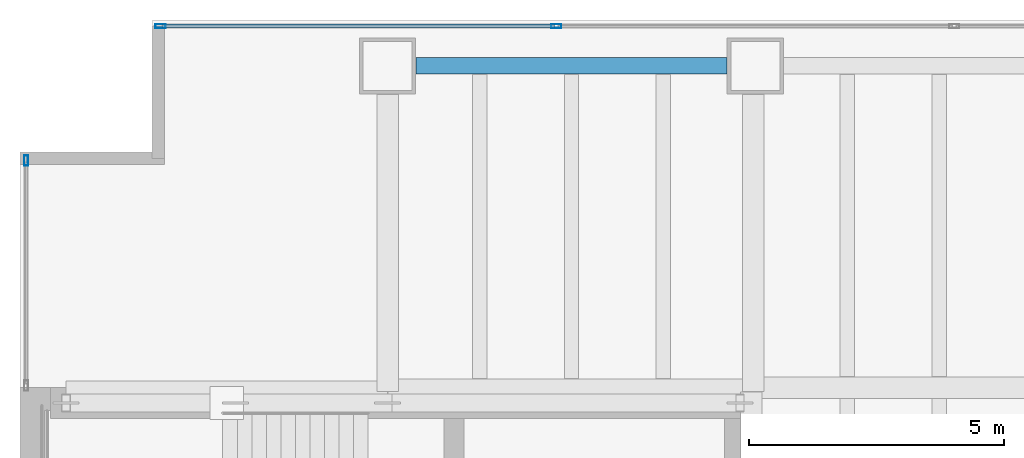
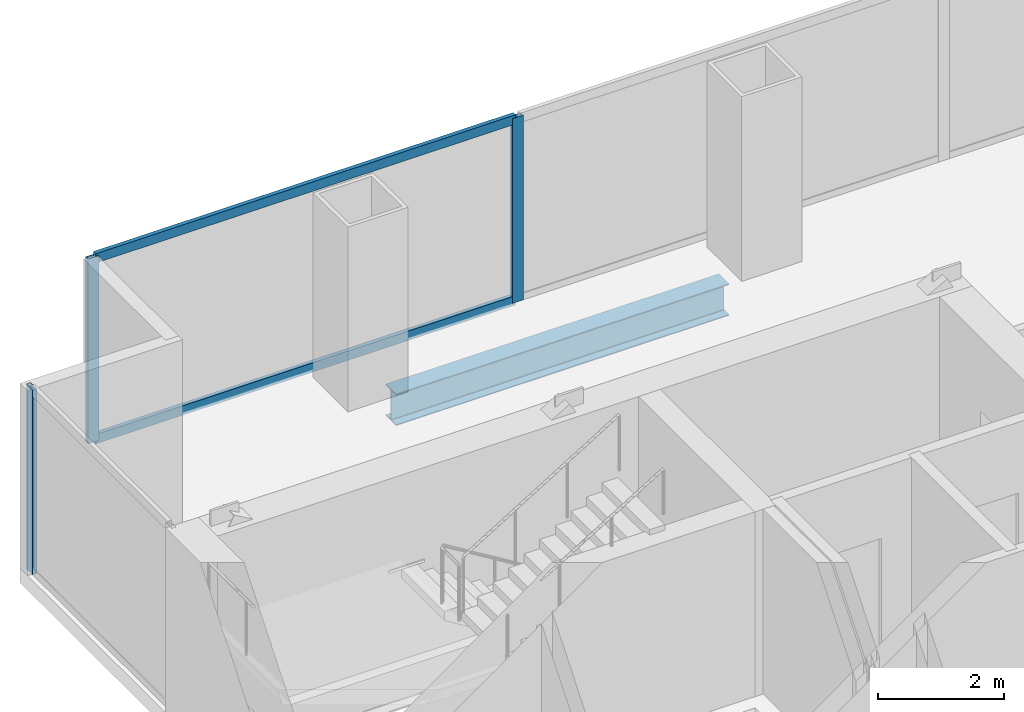
# One storey, part 16 of 23: 5 members, 1 beam, 2 elements without a shape of their own.
"""IFC4 building model written with IfcOpenShell, lengths in metres."""

from ifc_helpers import new_model, si_unit, direction, frame, origin, origin_2d, place, context, subcontext, project, spatial, hollow_rectangle, i_section, extrude, material, material_profile, profile_set, type_object, element, aggregate, save


model = new_model("IFC4")

# Units and contexts
model_context = context("Model", 3, precision=1e-05, world=origin(), true_north=direction((0.0, 1.0)))
body_context = subcontext(model_context, "Body", "Model", "MODEL_VIEW")
ifc_project = project(units=[si_unit("LENGTHUNIT", "METRE"), si_unit("AREAUNIT", "SQUARE_METRE"), si_unit("VOLUMEUNIT", "CUBIC_METRE"), si_unit("PLANEANGLEUNIT", "RADIAN"), si_unit("MASSUNIT", "GRAM", prefix="KILO")], contexts=[model_context])

# Site, building, storey
site_placement = place(None, origin())
site = spatial("IfcSite", under=ifc_project, at=site_placement, CompositionType="ELEMENT")
building_placement = place(site_placement, origin())
building = spatial("IfcBuilding", under=site, at=building_placement, Name="Cobrela Telecom Tower", CompositionType="ELEMENT")
storey_placement = place(building_placement, frame((0.0, 0.0, 38.85009765625)))
storey = spatial("IfcBuildingStorey", under=building, at=storey_placement, Name="L09", CompositionType="ELEMENT", Elevation=38.85009765625)

# Beam
ifc_material_1 = material(Name="Steel ASTM A992 Grade 50", Category="steel")
ifc_material_profile_1 = material_profile(ifc_material_1, i_section(OverallWidth=0.324951171875, OverallDepth=0.612060546875, WebThickness=0.0126953125, FlangeThickness=0.01904296875, FilletRadius=0.014892578125, at=origin_2d()), Name="W24X104")
ifc_profile_set_1 = profile_set([ifc_material_profile_1], Name="Steel ASTM A992 Grade 50")
beam_type = type_object("IfcBeamType", Name="BM-SPAND-02", PredefinedType="SPANDREL", material=ifc_profile_set_1)
beam_placement = place(storey_placement, frame((7.7548828125, 42.300048828125, -0.586181640625), z_axis=(1.0, 0.0, 0.0), x_axis=(0.0, 1.0, 0.0)))
element("IfcBeam", 1, at=beam_placement, inside=storey, type_object=beam_type, Name="L09 Perimeter Spandrel X29", PredefinedType="SPANDREL", context=body_context, shape_type="SweptSolid", body=[
    extrude(i_section(OverallWidth=0.324951171875, OverallDepth=0.612060546875, WebThickness=0.0126953125, FlangeThickness=0.01904296875, FilletRadius=0.014892578125, at=origin_2d()), origin(), (0.0, 0.0, 1.0), 6.090087890625),
])

# Curtain wall, member
ifc_material_2 = material(Name="Anodized Bronze Aluminium 6063-T6", Category="aluminium")
curtain_wall_type = type_object("IfcCurtainWallType", Name="CW-SYS-DATA", PredefinedType="USERDEFINED", material=ifc_material_2)
curtain_wall_1_placement = place(storey_placement, origin())
curtain_wall_1 = element("IfcCurtainWall", 2, at=curtain_wall_1_placement, inside=storey, type_object=curtain_wall_type, Name="L09 Unitised Bronze Curtain Wall 04", ObjectType="UNITISED CURTAIN WALL", PredefinedType="USERDEFINED")
ifc_material_profile_2 = material_profile(ifc_material_2, hollow_rectangle(XDim=0.080078125, YDim=0.199951171875, WallThickness=0.00390625, at=origin_2d()), Name="ALU 80x200x4")
ifc_profile_set_2 = profile_set([ifc_material_profile_2], Name="Anodized Bronze Aluminium 6063-T6")
member_type_1 = type_object("IfcMemberType", Name="CW-SYS-DATA-MUL", PredefinedType="MULLION", material=ifc_profile_set_2)
member_1_placement = place(storey_placement, frame((0.1201171875, 40.449951171875, 0.0), z_axis=(0.0, 0.0, 1.0), x_axis=(-1.0, 0.0, 0.0)))
member_1 = element("IfcMember", 3, at=member_1_placement, type_object=member_type_1, Name="CW-DATA mullion 2", PredefinedType="MULLION", context=body_context, shape_type="SweptSolid", body=[
    extrude(hollow_rectangle(XDim=0.080078125, YDim=0.199951171875, WallThickness=0.00390625, at=origin_2d()), origin(), (0.0, 0.0, 1.0), 3.56982421875),
])
aggregate(curtain_wall_1, [member_1])

# Curtain wall, members
curtain_wall_2_placement = place(storey_placement, origin())
curtain_wall_2 = element("IfcCurtainWall", 4, at=curtain_wall_2_placement, inside=storey, type_object=curtain_wall_type, Name="L09 Unitised Bronze Curtain Wall 07", ObjectType="UNITISED CURTAIN WALL", PredefinedType="USERDEFINED")
member_2_placement = place(storey_placement, frame((2.75, 43.080078125, 0.0), z_axis=(0.0, 0.0, 1.0), x_axis=(0.0, 1.0, 0.0)))
member_2 = element("IfcMember", 5, at=member_2_placement, type_object=member_type_1, Name="CW-DATA mullion 1", PredefinedType="MULLION", context=body_context, shape_type="SweptSolid", body=[
    extrude(hollow_rectangle(XDim=0.080078125, YDim=0.199951171875, WallThickness=0.00390625, at=origin_2d()), origin(), (0.0, 0.0, 1.0), 3.56982421875),
])
member_3_placement = place(storey_placement, frame((10.50341796875, 43.080078125, 0.0), z_axis=(0.0, 0.0, 1.0), x_axis=(0.0, 1.0, 0.0)))
member_3 = element("IfcMember", 6, at=member_3_placement, type_object=member_type_1, Name="CW-DATA mullion 2", PredefinedType="MULLION", context=body_context, shape_type="SweptSolid", body=[
    extrude(hollow_rectangle(XDim=0.080078125, YDim=0.199951171875, WallThickness=0.00390625, at=origin_2d()), origin(), (0.0, 0.0, 1.0), 3.56982421875),
])
ifc_material_profile_3 = material_profile(ifc_material_2, hollow_rectangle(XDim=0.074951171875, YDim=0.179931640625, WallThickness=0.00390625, at=origin_2d()), Name="ALU 75x180x4")
ifc_profile_set_3 = profile_set([ifc_material_profile_3], Name="Anodized Bronze Aluminium 6063-T6")
member_type_2 = type_object("IfcMemberType", Name="CW-SYS-DATA-TRN", PredefinedType="USERDEFINED", material=ifc_profile_set_3)
member_4_placement = place(storey_placement, frame((2.7900390625, 43.080078125, 0.037353515625), z_axis=(1.0, 0.0, 0.0), x_axis=(0.0, 1.0, 0.0)))
member_4 = element("IfcMember", 7, at=member_4_placement, type_object=member_type_2, Name="CW-DATA transom 1.1", ObjectType="TRANSOM", PredefinedType="USERDEFINED", context=body_context, shape_type="SweptSolid", body=[
    extrude(hollow_rectangle(XDim=0.074951171875, YDim=0.179931640625, WallThickness=0.00390625, at=origin_2d()), origin(), (0.0, 0.0, 1.0), 7.67333984375),
])
member_5_placement = place(storey_placement, frame((2.7900390625, 43.080078125, 3.532470703125), z_axis=(1.0, 0.0, 0.0), x_axis=(0.0, 1.0, 0.0)))
member_5 = element("IfcMember", 8, at=member_5_placement, type_object=member_type_2, Name="CW-DATA transom 1.2", ObjectType="TRANSOM", PredefinedType="USERDEFINED", context=body_context, shape_type="SweptSolid", body=[
    extrude(hollow_rectangle(XDim=0.074951171875, YDim=0.179931640625, WallThickness=0.00390625, at=origin_2d()), origin(), (0.0, 0.0, 1.0), 7.67333984375),
])
aggregate(curtain_wall_2, [member_2, member_3, member_4, member_5])

save(model, "model.ifc")
